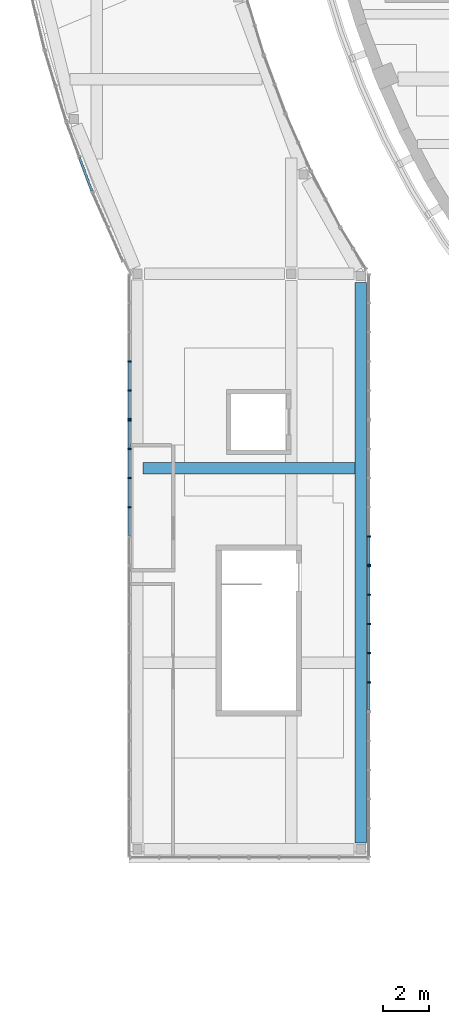
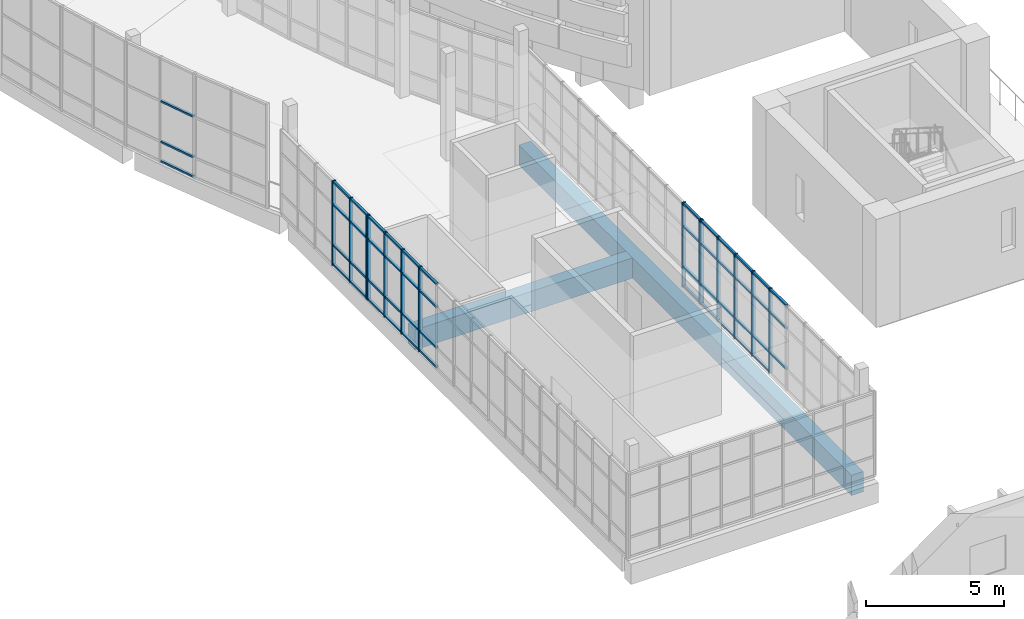
# One storey, part 6 of 103: 64 members, 2 beams, 5 elements without a shape of their own.
"""IFC4 building model written with IfcOpenShell, lengths in metres."""

from ifc_helpers import new_model, si_unit, direction, frame, origin, origin_2d, place, context, subcontext, project, spatial, rectangle, extrude, material, layer, layer_set, material_profile, profile_set, type_object, element, aggregate, save


model = new_model("IFC4")

# Units and contexts
model_context = context("Model", 3, precision=1e-05, world=origin(), true_north=direction((0.0, 1.0)))
body_context = subcontext(model_context, "Body", "Model", "MODEL_VIEW")
ifc_project = project(units=[si_unit("LENGTHUNIT", "METRE"), si_unit("AREAUNIT", "SQUARE_METRE"), si_unit("VOLUMEUNIT", "CUBIC_METRE"), si_unit("PLANEANGLEUNIT", "RADIAN"), si_unit("MASSUNIT", "GRAM", prefix="KILO")], contexts=[model_context])

# Site, building, storey
site_placement = place(None, origin())
site = spatial("IfcSite", under=ifc_project, at=site_placement, CompositionType="ELEMENT")
building_placement = place(site_placement, origin())
building = spatial("IfcBuilding", under=site, at=building_placement, Name="Larchfold Concert Hall", CompositionType="ELEMENT")
storey_placement = place(building_placement, frame((0.0, 0.0, 9.60009765625)))
storey = spatial("IfcBuildingStorey", under=building, at=storey_placement, Name="L02", CompositionType="ELEMENT", Elevation=9.60009765625)

# Curtain wall, members
ifc_material_1 = material(Name="Anodised graphite aluminium curtain wall", Category="aluminium")
ifc_layer = layer(ifc_material_1, 0.14990234375)
ifc_layer_set = layer_set([ifc_layer], Name="Anodised graphite aluminium curtain wall")
curtain_wall_type = type_object("IfcCurtainWallType", Name="Curtain wall WG", PredefinedType="NOTDEFINED", material=ifc_layer_set)
curtain_wall_1_placement = place(storey_placement, origin())
curtain_wall_1 = element("IfcCurtainWall", 1, at=curtain_wall_1_placement, inside=storey, type_object=curtain_wall_type, Name="Curtain wall CW0282", PredefinedType="NOTDEFINED")
ifc_material_2 = material(Name="Anodised graphite aluminium mullion", Category="aluminium")
ifc_material_profile_1 = material_profile(ifc_material_2, rectangle(XDim=0.14990234375, YDim=0.06005859375, at=origin_2d()))
ifc_profile_set_1 = profile_set([ifc_material_profile_1], Name="Anodised graphite aluminium mullion")
member_type_1 = type_object("IfcMemberType", Name="Aluminium mullion 60x150", PredefinedType="MULLION", material=ifc_profile_set_1)
member_1_placement = place(storey_placement, frame((10.408447265625, 55.619873046875, 0.0), z_axis=(0.0, 0.0, 1.0), x_axis=(1.0, 0.0, 0.0)))
member_1 = element("IfcMember", 2, at=member_1_placement, type_object=member_type_1, Name="CW0282 mullion 4", PredefinedType="MULLION", context=body_context, shape_type="SweptSolid", body=[
    extrude(rectangle(XDim=0.14990234375, YDim=0.06005859375, at=origin_2d()), origin(), (0.0, 0.0, 1.0), 3.75),
])
member_2_placement = place(storey_placement, frame((10.408447265625, 54.35986328125, 0.0), z_axis=(0.0, 0.0, 1.0), x_axis=(1.0, 0.0, 0.0)))
member_2 = element("IfcMember", 3, at=member_2_placement, type_object=member_type_1, Name="CW0282 mullion 5", PredefinedType="MULLION", context=body_context, shape_type="SweptSolid", body=[
    extrude(rectangle(XDim=0.14990234375, YDim=0.06005859375, at=origin_2d()), origin(), (0.0, 0.0, 1.0), 3.75),
])
member_3_placement = place(storey_placement, frame((10.408447265625, 53.1298828125, 0.0), z_axis=(0.0, 0.0, 1.0), x_axis=(1.0, 0.0, 0.0)))
member_3 = element("IfcMember", 4, at=member_3_placement, type_object=member_type_1, Name="CW0282 mullion 6", PredefinedType="MULLION", context=body_context, shape_type="SweptSolid", body=[
    extrude(rectangle(XDim=0.14990234375, YDim=0.06005859375, at=origin_2d()), origin(), (0.0, 0.0, 1.0), 3.75),
])

curtain_wall_2_placement = place(storey_placement, origin())
curtain_wall_2 = element("IfcCurtainWall", 5, at=curtain_wall_2_placement, inside=storey, type_object=curtain_wall_type, Name="Curtain wall CW0283", PredefinedType="NOTDEFINED")
member_4_placement = place(storey_placement, frame((10.408447265625, 53.06982421875, 0.0), z_axis=(0.0, 0.0, 1.0), x_axis=(1.0, 0.0, 0.0)))
member_4 = element("IfcMember", 6, at=member_4_placement, type_object=member_type_1, Name="CW0283 mullion 1", PredefinedType="MULLION", context=body_context, shape_type="SweptSolid", body=[
    extrude(rectangle(XDim=0.14990234375, YDim=0.06005859375, at=origin_2d()), origin(), (0.0, 0.0, 1.0), 3.75),
])
member_5_placement = place(storey_placement, frame((10.408447265625, 51.83984375, 0.0), z_axis=(0.0, 0.0, 1.0), x_axis=(1.0, 0.0, 0.0)))
member_5 = element("IfcMember", 7, at=member_5_placement, type_object=member_type_1, Name="CW0283 mullion 2", PredefinedType="MULLION", context=body_context, shape_type="SweptSolid", body=[
    extrude(rectangle(XDim=0.14990234375, YDim=0.06005859375, at=origin_2d()), origin(), (0.0, 0.0, 1.0), 3.75),
])
member_6_placement = place(storey_placement, frame((10.408447265625, 50.579833984375, 0.0), z_axis=(0.0, 0.0, 1.0), x_axis=(1.0, 0.0, 0.0)))
member_6 = element("IfcMember", 8, at=member_6_placement, type_object=member_type_1, Name="CW0283 mullion 3", PredefinedType="MULLION", context=body_context, shape_type="SweptSolid", body=[
    extrude(rectangle(XDim=0.14990234375, YDim=0.06005859375, at=origin_2d()), origin(), (0.0, 0.0, 1.0), 3.75),
])
member_7_placement = place(storey_placement, frame((10.408447265625, 49.31982421875, 0.0), z_axis=(0.0, 0.0, 1.0), x_axis=(1.0, 0.0, 0.0)))
member_7 = element("IfcMember", 9, at=member_7_placement, type_object=member_type_1, Name="CW0283 mullion 4", PredefinedType="MULLION", context=body_context, shape_type="SweptSolid", body=[
    extrude(rectangle(XDim=0.14990234375, YDim=0.06005859375, at=origin_2d()), origin(), (0.0, 0.0, 1.0), 3.75),
])

curtain_wall_3_placement = place(storey_placement, origin())
curtain_wall_3 = element("IfcCurtainWall", 10, at=curtain_wall_3_placement, inside=storey, type_object=curtain_wall_type, Name="Curtain wall CW0289", PredefinedType="NOTDEFINED")
member_8_placement = place(storey_placement, frame((20.748779296875, 41.760009765625, 0.0), z_axis=(0.0, 0.0, 1.0), x_axis=(-1.0, 0.0, 0.0)))
member_8 = element("IfcMember", 11, at=member_8_placement, type_object=member_type_1, Name="CW0289 mullion 2", PredefinedType="MULLION", context=body_context, shape_type="SweptSolid", body=[
    extrude(rectangle(XDim=0.14990234375, YDim=0.06005859375, at=origin_2d()), origin(), (0.0, 0.0, 1.0), 3.75),
])
member_9_placement = place(storey_placement, frame((20.748779296875, 43.02001953125, 0.0), z_axis=(0.0, 0.0, 1.0), x_axis=(-1.0, 0.0, 0.0)))
member_9 = element("IfcMember", 12, at=member_9_placement, type_object=member_type_1, Name="CW0289 mullion 3", PredefinedType="MULLION", context=body_context, shape_type="SweptSolid", body=[
    extrude(rectangle(XDim=0.14990234375, YDim=0.06005859375, at=origin_2d()), origin(), (0.0, 0.0, 1.0), 3.75),
])
member_10_placement = place(storey_placement, frame((20.748779296875, 44.27978515625, 0.0), z_axis=(0.0, 0.0, 1.0), x_axis=(-1.0, 0.0, 0.0)))
member_10 = element("IfcMember", 13, at=member_10_placement, type_object=member_type_1, Name="CW0289 mullion 4", PredefinedType="MULLION", context=body_context, shape_type="SweptSolid", body=[
    extrude(rectangle(XDim=0.14990234375, YDim=0.06005859375, at=origin_2d()), origin(), (0.0, 0.0, 1.0), 3.75),
])
member_11_placement = place(storey_placement, frame((20.748779296875, 45.539794921875, 0.0), z_axis=(0.0, 0.0, 1.0), x_axis=(-1.0, 0.0, 0.0)))
member_11 = element("IfcMember", 14, at=member_11_placement, type_object=member_type_1, Name="CW0289 mullion 5", PredefinedType="MULLION", context=body_context, shape_type="SweptSolid", body=[
    extrude(rectangle(XDim=0.14990234375, YDim=0.06005859375, at=origin_2d()), origin(), (0.0, 0.0, 1.0), 3.75),
])
member_12_placement = place(storey_placement, frame((20.748779296875, 46.769775390625, 0.0), z_axis=(0.0, 0.0, 1.0), x_axis=(-1.0, 0.0, 0.0)))
member_12 = element("IfcMember", 15, at=member_12_placement, type_object=member_type_1, Name="CW0289 mullion 6", PredefinedType="MULLION", context=body_context, shape_type="SweptSolid", body=[
    extrude(rectangle(XDim=0.14990234375, YDim=0.06005859375, at=origin_2d()), origin(), (0.0, 0.0, 1.0), 3.75),
])

curtain_wall_4_placement = place(storey_placement, origin())
curtain_wall_4 = element("IfcCurtainWall", 16, at=curtain_wall_4_placement, inside=storey, type_object=curtain_wall_type, Name="Curtain wall CW0290", PredefinedType="NOTDEFINED")
member_13_placement = place(storey_placement, frame((20.748779296875, 46.829833984375, 0.0), z_axis=(0.0, 0.0, 1.0), x_axis=(-1.0, 0.0, 0.0)))
member_13 = element("IfcMember", 17, at=member_13_placement, type_object=member_type_1, Name="CW0290 mullion 1", PredefinedType="MULLION", context=body_context, shape_type="SweptSolid", body=[
    extrude(rectangle(XDim=0.14990234375, YDim=0.06005859375, at=origin_2d()), origin(), (0.0, 0.0, 1.0), 3.75),
])
member_14_placement = place(storey_placement, frame((20.748779296875, 48.059814453125, 0.0), z_axis=(0.0, 0.0, 1.0), x_axis=(-1.0, 0.0, 0.0)))
member_14 = element("IfcMember", 18, at=member_14_placement, type_object=member_type_1, Name="CW0290 mullion 2", PredefinedType="MULLION", context=body_context, shape_type="SweptSolid", body=[
    extrude(rectangle(XDim=0.14990234375, YDim=0.06005859375, at=origin_2d()), origin(), (0.0, 0.0, 1.0), 3.75),
])

curtain_wall_5_placement = place(storey_placement, origin())
curtain_wall_5 = element("IfcCurtainWall", 19, at=curtain_wall_5_placement, inside=storey, type_object=curtain_wall_type, Name="Curtain wall CW0280", PredefinedType="NOTDEFINED")
ifc_material_3 = material(Name="Anodised graphite aluminium transom", Category="aluminium")
ifc_material_profile_2 = material_profile(ifc_material_3, rectangle(XDim=0.10009765625, YDim=0.080078125, at=origin_2d()))
ifc_profile_set_2 = profile_set([ifc_material_profile_2], Name="Anodised graphite aluminium transom")
member_type_2 = type_object("IfcMemberType", Name="Aluminium transom 80x100", PredefinedType="USERDEFINED", material=ifc_profile_set_2)
member_15_placement = place(storey_placement, frame((8.2587890625, 64.416748046875, 0.0400390625), z_axis=(0.34659834875, -0.938013637771, 0.0), x_axis=(0.938013637771, 0.34659834875, 0.0)))
member_15 = element("IfcMember", 20, at=member_15_placement, type_object=member_type_2, Name="CW0280 transom 2.1", ObjectType="TRANSOM", PredefinedType="USERDEFINED", context=body_context, shape_type="SweptSolid", body=[
    extrude(rectangle(XDim=0.10009765625, YDim=0.080078125, at=origin_2d()), origin(), (0.0, 0.0, 1.0), 1.53271484375),
])
member_16_placement = place(storey_placement, frame((8.2587890625, 64.416748046875, 0.89990234375), z_axis=(0.34659834875, -0.938013637771, 0.0), x_axis=(0.938013637771, 0.34659834875, 0.0)))
member_16 = element("IfcMember", 21, at=member_16_placement, type_object=member_type_2, Name="CW0280 transom 2.2", ObjectType="TRANSOM", PredefinedType="USERDEFINED", context=body_context, shape_type="SweptSolid", body=[
    extrude(rectangle(XDim=0.10009765625, YDim=0.080078125, at=origin_2d()), origin(), (0.0, 0.0, 1.0), 1.53271484375),
])
member_17_placement = place(storey_placement, frame((8.2587890625, 64.416748046875, 2.699951171875), z_axis=(0.34659834875, -0.938013637771, 0.0), x_axis=(0.938013637771, 0.34659834875, 0.0)))
member_17 = element("IfcMember", 22, at=member_17_placement, type_object=member_type_2, Name="CW0280 transom 2.3", ObjectType="TRANSOM", PredefinedType="USERDEFINED", context=body_context, shape_type="SweptSolid", body=[
    extrude(rectangle(XDim=0.10009765625, YDim=0.080078125, at=origin_2d()), origin(), (0.0, 0.0, 1.0), 1.53271484375),
])
aggregate(curtain_wall_5, [member_15, member_16, member_17])

# Member
member_18_placement = place(storey_placement, frame((10.408447265625, 55.58984375, 0.0400390625), z_axis=(0.0, -1.0, 0.0), x_axis=(1.0, 0.0, 0.0)))
member_18 = element("IfcMember", 23, at=member_18_placement, type_object=member_type_2, Name="CW0282 transom 4.1", ObjectType="TRANSOM", PredefinedType="USERDEFINED", context=body_context, shape_type="SweptSolid", body=[
    extrude(rectangle(XDim=0.10009765625, YDim=0.080078125, at=origin_2d()), origin(), (0.0, 0.0, 1.0), 1.199951171875),
])

member_19_placement = place(storey_placement, frame((10.408447265625, 55.58984375, 0.89990234375), z_axis=(0.0, -1.0, 0.0), x_axis=(1.0, 0.0, 0.0)))
member_19 = element("IfcMember", 24, at=member_19_placement, type_object=member_type_2, Name="CW0282 transom 4.2", ObjectType="TRANSOM", PredefinedType="USERDEFINED", context=body_context, shape_type="SweptSolid", body=[
    extrude(rectangle(XDim=0.10009765625, YDim=0.080078125, at=origin_2d()), origin(), (0.0, 0.0, 1.0), 1.199951171875),
])

member_20_placement = place(storey_placement, frame((10.408447265625, 55.58984375, 2.699951171875), z_axis=(0.0, -1.0, 0.0), x_axis=(1.0, 0.0, 0.0)))
member_20 = element("IfcMember", 25, at=member_20_placement, type_object=member_type_2, Name="CW0282 transom 4.3", ObjectType="TRANSOM", PredefinedType="USERDEFINED", context=body_context, shape_type="SweptSolid", body=[
    extrude(rectangle(XDim=0.10009765625, YDim=0.080078125, at=origin_2d()), origin(), (0.0, 0.0, 1.0), 1.199951171875),
])

member_21_placement = place(storey_placement, frame((10.408447265625, 55.58984375, 3.7099609375), z_axis=(0.0, -1.0, 0.0), x_axis=(1.0, 0.0, 0.0)))
member_21 = element("IfcMember", 26, at=member_21_placement, type_object=member_type_2, Name="CW0282 transom 4.4", ObjectType="TRANSOM", PredefinedType="USERDEFINED", context=body_context, shape_type="SweptSolid", body=[
    extrude(rectangle(XDim=0.10009765625, YDim=0.080078125, at=origin_2d()), origin(), (0.0, 0.0, 1.0), 1.199951171875),
])

member_22_placement = place(storey_placement, frame((10.408447265625, 54.329833984375, 0.0400390625), z_axis=(0.0, -1.0, 0.0), x_axis=(1.0, 0.0, 0.0)))
member_22 = element("IfcMember", 27, at=member_22_placement, type_object=member_type_2, Name="CW0282 transom 5.1", ObjectType="TRANSOM", PredefinedType="USERDEFINED", context=body_context, shape_type="SweptSolid", body=[
    extrude(rectangle(XDim=0.10009765625, YDim=0.080078125, at=origin_2d()), origin(), (0.0, 0.0, 1.0), 1.169921875),
])

member_23_placement = place(storey_placement, frame((10.408447265625, 54.329833984375, 0.89990234375), z_axis=(0.0, -1.0, 0.0), x_axis=(1.0, 0.0, 0.0)))
member_23 = element("IfcMember", 28, at=member_23_placement, type_object=member_type_2, Name="CW0282 transom 5.2", ObjectType="TRANSOM", PredefinedType="USERDEFINED", context=body_context, shape_type="SweptSolid", body=[
    extrude(rectangle(XDim=0.10009765625, YDim=0.080078125, at=origin_2d()), origin(), (0.0, 0.0, 1.0), 1.169921875),
])

member_24_placement = place(storey_placement, frame((10.408447265625, 54.329833984375, 2.699951171875), z_axis=(0.0, -1.0, 0.0), x_axis=(1.0, 0.0, 0.0)))
member_24 = element("IfcMember", 29, at=member_24_placement, type_object=member_type_2, Name="CW0282 transom 5.3", ObjectType="TRANSOM", PredefinedType="USERDEFINED", context=body_context, shape_type="SweptSolid", body=[
    extrude(rectangle(XDim=0.10009765625, YDim=0.080078125, at=origin_2d()), origin(), (0.0, 0.0, 1.0), 1.169921875),
])

member_25_placement = place(storey_placement, frame((10.408447265625, 54.329833984375, 3.7099609375), z_axis=(0.0, -1.0, 0.0), x_axis=(1.0, 0.0, 0.0)))
member_25 = element("IfcMember", 30, at=member_25_placement, type_object=member_type_2, Name="CW0282 transom 5.4", ObjectType="TRANSOM", PredefinedType="USERDEFINED", context=body_context, shape_type="SweptSolid", body=[
    extrude(rectangle(XDim=0.10009765625, YDim=0.080078125, at=origin_2d()), origin(), (0.0, 0.0, 1.0), 1.169921875),
])

aggregate(curtain_wall_1, [member_1, member_2, member_3, member_18, member_19, member_20, member_21, member_22, member_23, member_24, member_25])

member_26_placement = place(storey_placement, frame((10.408447265625, 53.039794921875, 0.0400390625), z_axis=(0.0, -1.0, 0.0), x_axis=(1.0, 0.0, 0.0)))
member_26 = element("IfcMember", 31, at=member_26_placement, type_object=member_type_2, Name="CW0283 transom 1.1", ObjectType="TRANSOM", PredefinedType="USERDEFINED", context=body_context, shape_type="SweptSolid", body=[
    extrude(rectangle(XDim=0.10009765625, YDim=0.080078125, at=origin_2d()), origin(), (0.0, 0.0, 1.0), 1.169921875),
])

member_27_placement = place(storey_placement, frame((10.408447265625, 53.039794921875, 0.89990234375), z_axis=(0.0, -1.0, 0.0), x_axis=(1.0, 0.0, 0.0)))
member_27 = element("IfcMember", 32, at=member_27_placement, type_object=member_type_2, Name="CW0283 transom 1.2", ObjectType="TRANSOM", PredefinedType="USERDEFINED", context=body_context, shape_type="SweptSolid", body=[
    extrude(rectangle(XDim=0.10009765625, YDim=0.080078125, at=origin_2d()), origin(), (0.0, 0.0, 1.0), 1.169921875),
])

member_28_placement = place(storey_placement, frame((10.408447265625, 53.039794921875, 2.699951171875), z_axis=(0.0, -1.0, 0.0), x_axis=(1.0, 0.0, 0.0)))
member_28 = element("IfcMember", 33, at=member_28_placement, type_object=member_type_2, Name="CW0283 transom 1.3", ObjectType="TRANSOM", PredefinedType="USERDEFINED", context=body_context, shape_type="SweptSolid", body=[
    extrude(rectangle(XDim=0.10009765625, YDim=0.080078125, at=origin_2d()), origin(), (0.0, 0.0, 1.0), 1.169921875),
])

member_29_placement = place(storey_placement, frame((10.408447265625, 53.039794921875, 3.7099609375), z_axis=(0.0, -1.0, 0.0), x_axis=(1.0, 0.0, 0.0)))
member_29 = element("IfcMember", 34, at=member_29_placement, type_object=member_type_2, Name="CW0283 transom 1.4", ObjectType="TRANSOM", PredefinedType="USERDEFINED", context=body_context, shape_type="SweptSolid", body=[
    extrude(rectangle(XDim=0.10009765625, YDim=0.080078125, at=origin_2d()), origin(), (0.0, 0.0, 1.0), 1.169921875),
])

member_30_placement = place(storey_placement, frame((10.408447265625, 51.809814453125, 0.0400390625), z_axis=(0.0, -1.0, 0.0), x_axis=(1.0, 0.0, 0.0)))
member_30 = element("IfcMember", 35, at=member_30_placement, type_object=member_type_2, Name="CW0283 transom 2.1", ObjectType="TRANSOM", PredefinedType="USERDEFINED", context=body_context, shape_type="SweptSolid", body=[
    extrude(rectangle(XDim=0.10009765625, YDim=0.080078125, at=origin_2d()), origin(), (0.0, 0.0, 1.0), 1.199951171875),
])

member_31_placement = place(storey_placement, frame((10.408447265625, 51.809814453125, 0.89990234375), z_axis=(0.0, -1.0, 0.0), x_axis=(1.0, 0.0, 0.0)))
member_31 = element("IfcMember", 36, at=member_31_placement, type_object=member_type_2, Name="CW0283 transom 2.2", ObjectType="TRANSOM", PredefinedType="USERDEFINED", context=body_context, shape_type="SweptSolid", body=[
    extrude(rectangle(XDim=0.10009765625, YDim=0.080078125, at=origin_2d()), origin(), (0.0, 0.0, 1.0), 1.199951171875),
])

member_32_placement = place(storey_placement, frame((10.408447265625, 51.809814453125, 2.699951171875), z_axis=(0.0, -1.0, 0.0), x_axis=(1.0, 0.0, 0.0)))
member_32 = element("IfcMember", 37, at=member_32_placement, type_object=member_type_2, Name="CW0283 transom 2.3", ObjectType="TRANSOM", PredefinedType="USERDEFINED", context=body_context, shape_type="SweptSolid", body=[
    extrude(rectangle(XDim=0.10009765625, YDim=0.080078125, at=origin_2d()), origin(), (0.0, 0.0, 1.0), 1.199951171875),
])

member_33_placement = place(storey_placement, frame((10.408447265625, 51.809814453125, 3.7099609375), z_axis=(0.0, -1.0, 0.0), x_axis=(1.0, 0.0, 0.0)))
member_33 = element("IfcMember", 38, at=member_33_placement, type_object=member_type_2, Name="CW0283 transom 2.4", ObjectType="TRANSOM", PredefinedType="USERDEFINED", context=body_context, shape_type="SweptSolid", body=[
    extrude(rectangle(XDim=0.10009765625, YDim=0.080078125, at=origin_2d()), origin(), (0.0, 0.0, 1.0), 1.199951171875),
])

member_34_placement = place(storey_placement, frame((10.408447265625, 50.5498046875, 0.0400390625), z_axis=(0.0, -1.0, 0.0), x_axis=(1.0, 0.0, 0.0)))
member_34 = element("IfcMember", 39, at=member_34_placement, type_object=member_type_2, Name="CW0283 transom 3.1", ObjectType="TRANSOM", PredefinedType="USERDEFINED", context=body_context, shape_type="SweptSolid", body=[
    extrude(rectangle(XDim=0.10009765625, YDim=0.080078125, at=origin_2d()), origin(), (0.0, 0.0, 1.0), 1.199951171875),
])

member_35_placement = place(storey_placement, frame((10.408447265625, 50.5498046875, 0.89990234375), z_axis=(0.0, -1.0, 0.0), x_axis=(1.0, 0.0, 0.0)))
member_35 = element("IfcMember", 40, at=member_35_placement, type_object=member_type_2, Name="CW0283 transom 3.2", ObjectType="TRANSOM", PredefinedType="USERDEFINED", context=body_context, shape_type="SweptSolid", body=[
    extrude(rectangle(XDim=0.10009765625, YDim=0.080078125, at=origin_2d()), origin(), (0.0, 0.0, 1.0), 1.199951171875),
])

member_36_placement = place(storey_placement, frame((10.408447265625, 50.5498046875, 2.699951171875), z_axis=(0.0, -1.0, 0.0), x_axis=(1.0, 0.0, 0.0)))
member_36 = element("IfcMember", 41, at=member_36_placement, type_object=member_type_2, Name="CW0283 transom 3.3", ObjectType="TRANSOM", PredefinedType="USERDEFINED", context=body_context, shape_type="SweptSolid", body=[
    extrude(rectangle(XDim=0.10009765625, YDim=0.080078125, at=origin_2d()), origin(), (0.0, 0.0, 1.0), 1.199951171875),
])

member_37_placement = place(storey_placement, frame((10.408447265625, 50.5498046875, 3.7099609375), z_axis=(0.0, -1.0, 0.0), x_axis=(1.0, 0.0, 0.0)))
member_37 = element("IfcMember", 42, at=member_37_placement, type_object=member_type_2, Name="CW0283 transom 3.4", ObjectType="TRANSOM", PredefinedType="USERDEFINED", context=body_context, shape_type="SweptSolid", body=[
    extrude(rectangle(XDim=0.10009765625, YDim=0.080078125, at=origin_2d()), origin(), (0.0, 0.0, 1.0), 1.199951171875),
])

member_38_placement = place(storey_placement, frame((10.408447265625, 49.289794921875, 0.0400390625), z_axis=(0.0, -1.0, 0.0), x_axis=(1.0, 0.0, 0.0)))
member_38 = element("IfcMember", 43, at=member_38_placement, type_object=member_type_2, Name="CW0283 transom 4.1", ObjectType="TRANSOM", PredefinedType="USERDEFINED", context=body_context, shape_type="SweptSolid", body=[
    extrude(rectangle(XDim=0.10009765625, YDim=0.080078125, at=origin_2d()), origin(), (0.0, 0.0, 1.0), 1.199951171875),
])

member_39_placement = place(storey_placement, frame((10.408447265625, 49.289794921875, 0.89990234375), z_axis=(0.0, -1.0, 0.0), x_axis=(1.0, 0.0, 0.0)))
member_39 = element("IfcMember", 44, at=member_39_placement, type_object=member_type_2, Name="CW0283 transom 4.2", ObjectType="TRANSOM", PredefinedType="USERDEFINED", context=body_context, shape_type="SweptSolid", body=[
    extrude(rectangle(XDim=0.10009765625, YDim=0.080078125, at=origin_2d()), origin(), (0.0, 0.0, 1.0), 1.199951171875),
])

member_40_placement = place(storey_placement, frame((10.408447265625, 49.289794921875, 2.699951171875), z_axis=(0.0, -1.0, 0.0), x_axis=(1.0, 0.0, 0.0)))
member_40 = element("IfcMember", 45, at=member_40_placement, type_object=member_type_2, Name="CW0283 transom 4.3", ObjectType="TRANSOM", PredefinedType="USERDEFINED", context=body_context, shape_type="SweptSolid", body=[
    extrude(rectangle(XDim=0.10009765625, YDim=0.080078125, at=origin_2d()), origin(), (0.0, 0.0, 1.0), 1.199951171875),
])

member_41_placement = place(storey_placement, frame((10.408447265625, 49.289794921875, 3.7099609375), z_axis=(0.0, -1.0, 0.0), x_axis=(1.0, 0.0, 0.0)))
member_41 = element("IfcMember", 46, at=member_41_placement, type_object=member_type_2, Name="CW0283 transom 4.4", ObjectType="TRANSOM", PredefinedType="USERDEFINED", context=body_context, shape_type="SweptSolid", body=[
    extrude(rectangle(XDim=0.10009765625, YDim=0.080078125, at=origin_2d()), origin(), (0.0, 0.0, 1.0), 1.199951171875),
])

aggregate(curtain_wall_2, [member_4, member_5, member_6, member_7, member_26, member_27, member_28, member_29, member_30, member_31, member_32, member_33, member_34, member_35, member_36, member_37, member_38, member_39, member_40, member_41])

member_42_placement = place(storey_placement, frame((20.748779296875, 40.56005859375, 0.89990234375), z_axis=(0.0, 1.0, 0.0), x_axis=(-1.0, 0.0, 0.0)))
member_42 = element("IfcMember", 47, at=member_42_placement, type_object=member_type_2, Name="CW0289 transom 1.2", ObjectType="TRANSOM", PredefinedType="USERDEFINED", context=body_context, shape_type="SweptSolid", body=[
    extrude(rectangle(XDim=0.10009765625, YDim=0.080078125, at=origin_2d()), origin(), (0.0, 0.0, 1.0), 1.169921875),
])

member_43_placement = place(storey_placement, frame((20.748779296875, 40.56005859375, 2.699951171875), z_axis=(0.0, 1.0, 0.0), x_axis=(-1.0, 0.0, 0.0)))
member_43 = element("IfcMember", 48, at=member_43_placement, type_object=member_type_2, Name="CW0289 transom 1.3", ObjectType="TRANSOM", PredefinedType="USERDEFINED", context=body_context, shape_type="SweptSolid", body=[
    extrude(rectangle(XDim=0.10009765625, YDim=0.080078125, at=origin_2d()), origin(), (0.0, 0.0, 1.0), 1.169921875),
])

member_44_placement = place(storey_placement, frame((20.748779296875, 40.56005859375, 3.7099609375), z_axis=(0.0, 1.0, 0.0), x_axis=(-1.0, 0.0, 0.0)))
member_44 = element("IfcMember", 49, at=member_44_placement, type_object=member_type_2, Name="CW0289 transom 1.4", ObjectType="TRANSOM", PredefinedType="USERDEFINED", context=body_context, shape_type="SweptSolid", body=[
    extrude(rectangle(XDim=0.10009765625, YDim=0.080078125, at=origin_2d()), origin(), (0.0, 0.0, 1.0), 1.169921875),
])

member_45_placement = place(storey_placement, frame((20.748779296875, 41.7900390625, 0.0400390625), z_axis=(0.0, 1.0, 0.0), x_axis=(-1.0, 0.0, 0.0)))
member_45 = element("IfcMember", 50, at=member_45_placement, type_object=member_type_2, Name="CW0289 transom 2.1", ObjectType="TRANSOM", PredefinedType="USERDEFINED", context=body_context, shape_type="SweptSolid", body=[
    extrude(rectangle(XDim=0.10009765625, YDim=0.080078125, at=origin_2d()), origin(), (0.0, 0.0, 1.0), 1.199951171875),
])

member_46_placement = place(storey_placement, frame((20.748779296875, 41.7900390625, 0.89990234375), z_axis=(0.0, 1.0, 0.0), x_axis=(-1.0, 0.0, 0.0)))
member_46 = element("IfcMember", 51, at=member_46_placement, type_object=member_type_2, Name="CW0289 transom 2.2", ObjectType="TRANSOM", PredefinedType="USERDEFINED", context=body_context, shape_type="SweptSolid", body=[
    extrude(rectangle(XDim=0.10009765625, YDim=0.080078125, at=origin_2d()), origin(), (0.0, 0.0, 1.0), 1.199951171875),
])

member_47_placement = place(storey_placement, frame((20.748779296875, 41.7900390625, 2.699951171875), z_axis=(0.0, 1.0, 0.0), x_axis=(-1.0, 0.0, 0.0)))
member_47 = element("IfcMember", 52, at=member_47_placement, type_object=member_type_2, Name="CW0289 transom 2.3", ObjectType="TRANSOM", PredefinedType="USERDEFINED", context=body_context, shape_type="SweptSolid", body=[
    extrude(rectangle(XDim=0.10009765625, YDim=0.080078125, at=origin_2d()), origin(), (0.0, 0.0, 1.0), 1.199951171875),
])

member_48_placement = place(storey_placement, frame((20.748779296875, 41.7900390625, 3.7099609375), z_axis=(0.0, 1.0, 0.0), x_axis=(-1.0, 0.0, 0.0)))
member_48 = element("IfcMember", 53, at=member_48_placement, type_object=member_type_2, Name="CW0289 transom 2.4", ObjectType="TRANSOM", PredefinedType="USERDEFINED", context=body_context, shape_type="SweptSolid", body=[
    extrude(rectangle(XDim=0.10009765625, YDim=0.080078125, at=origin_2d()), origin(), (0.0, 0.0, 1.0), 1.199951171875),
])

member_49_placement = place(storey_placement, frame((20.748779296875, 43.0498046875, 0.0400390625), z_axis=(0.0, 1.0, 0.0), x_axis=(-1.0, 0.0, 0.0)))
member_49 = element("IfcMember", 54, at=member_49_placement, type_object=member_type_2, Name="CW0289 transom 3.1", ObjectType="TRANSOM", PredefinedType="USERDEFINED", context=body_context, shape_type="SweptSolid", body=[
    extrude(rectangle(XDim=0.10009765625, YDim=0.080078125, at=origin_2d()), origin(), (0.0, 0.0, 1.0), 1.2001953125),
])

member_50_placement = place(storey_placement, frame((20.748779296875, 43.0498046875, 0.89990234375), z_axis=(0.0, 1.0, 0.0), x_axis=(-1.0, 0.0, 0.0)))
member_50 = element("IfcMember", 55, at=member_50_placement, type_object=member_type_2, Name="CW0289 transom 3.2", ObjectType="TRANSOM", PredefinedType="USERDEFINED", context=body_context, shape_type="SweptSolid", body=[
    extrude(rectangle(XDim=0.10009765625, YDim=0.080078125, at=origin_2d()), origin(), (0.0, 0.0, 1.0), 1.2001953125),
])

member_51_placement = place(storey_placement, frame((20.748779296875, 43.0498046875, 2.699951171875), z_axis=(0.0, 1.0, 0.0), x_axis=(-1.0, 0.0, 0.0)))
member_51 = element("IfcMember", 56, at=member_51_placement, type_object=member_type_2, Name="CW0289 transom 3.3", ObjectType="TRANSOM", PredefinedType="USERDEFINED", context=body_context, shape_type="SweptSolid", body=[
    extrude(rectangle(XDim=0.10009765625, YDim=0.080078125, at=origin_2d()), origin(), (0.0, 0.0, 1.0), 1.2001953125),
])

member_52_placement = place(storey_placement, frame((20.748779296875, 43.0498046875, 3.7099609375), z_axis=(0.0, 1.0, 0.0), x_axis=(-1.0, 0.0, 0.0)))
member_52 = element("IfcMember", 57, at=member_52_placement, type_object=member_type_2, Name="CW0289 transom 3.4", ObjectType="TRANSOM", PredefinedType="USERDEFINED", context=body_context, shape_type="SweptSolid", body=[
    extrude(rectangle(XDim=0.10009765625, YDim=0.080078125, at=origin_2d()), origin(), (0.0, 0.0, 1.0), 1.2001953125),
])

member_53_placement = place(storey_placement, frame((20.748779296875, 44.309814453125, 0.0400390625), z_axis=(0.0, 1.0, 0.0), x_axis=(-1.0, 0.0, 0.0)))
member_53 = element("IfcMember", 58, at=member_53_placement, type_object=member_type_2, Name="CW0289 transom 4.1", ObjectType="TRANSOM", PredefinedType="USERDEFINED", context=body_context, shape_type="SweptSolid", body=[
    extrude(rectangle(XDim=0.10009765625, YDim=0.080078125, at=origin_2d()), origin(), (0.0, 0.0, 1.0), 1.199951171875),
])

member_54_placement = place(storey_placement, frame((20.748779296875, 44.309814453125, 0.89990234375), z_axis=(0.0, 1.0, 0.0), x_axis=(-1.0, 0.0, 0.0)))
member_54 = element("IfcMember", 59, at=member_54_placement, type_object=member_type_2, Name="CW0289 transom 4.2", ObjectType="TRANSOM", PredefinedType="USERDEFINED", context=body_context, shape_type="SweptSolid", body=[
    extrude(rectangle(XDim=0.10009765625, YDim=0.080078125, at=origin_2d()), origin(), (0.0, 0.0, 1.0), 1.199951171875),
])

member_55_placement = place(storey_placement, frame((20.748779296875, 44.309814453125, 2.699951171875), z_axis=(0.0, 1.0, 0.0), x_axis=(-1.0, 0.0, 0.0)))
member_55 = element("IfcMember", 60, at=member_55_placement, type_object=member_type_2, Name="CW0289 transom 4.3", ObjectType="TRANSOM", PredefinedType="USERDEFINED", context=body_context, shape_type="SweptSolid", body=[
    extrude(rectangle(XDim=0.10009765625, YDim=0.080078125, at=origin_2d()), origin(), (0.0, 0.0, 1.0), 1.199951171875),
])

member_56_placement = place(storey_placement, frame((20.748779296875, 44.309814453125, 3.7099609375), z_axis=(0.0, 1.0, 0.0), x_axis=(-1.0, 0.0, 0.0)))
member_56 = element("IfcMember", 61, at=member_56_placement, type_object=member_type_2, Name="CW0289 transom 4.4", ObjectType="TRANSOM", PredefinedType="USERDEFINED", context=body_context, shape_type="SweptSolid", body=[
    extrude(rectangle(XDim=0.10009765625, YDim=0.080078125, at=origin_2d()), origin(), (0.0, 0.0, 1.0), 1.199951171875),
])

member_57_placement = place(storey_placement, frame((20.748779296875, 45.56982421875, 0.0400390625), z_axis=(0.0, 1.0, 0.0), x_axis=(-1.0, 0.0, 0.0)))
member_57 = element("IfcMember", 62, at=member_57_placement, type_object=member_type_2, Name="CW0289 transom 5.1", ObjectType="TRANSOM", PredefinedType="USERDEFINED", context=body_context, shape_type="SweptSolid", body=[
    extrude(rectangle(XDim=0.10009765625, YDim=0.080078125, at=origin_2d()), origin(), (0.0, 0.0, 1.0), 1.169921875),
])

member_58_placement = place(storey_placement, frame((20.748779296875, 45.56982421875, 0.89990234375), z_axis=(0.0, 1.0, 0.0), x_axis=(-1.0, 0.0, 0.0)))
member_58 = element("IfcMember", 63, at=member_58_placement, type_object=member_type_2, Name="CW0289 transom 5.2", ObjectType="TRANSOM", PredefinedType="USERDEFINED", context=body_context, shape_type="SweptSolid", body=[
    extrude(rectangle(XDim=0.10009765625, YDim=0.080078125, at=origin_2d()), origin(), (0.0, 0.0, 1.0), 1.169921875),
])

member_59_placement = place(storey_placement, frame((20.748779296875, 45.56982421875, 2.699951171875), z_axis=(0.0, 1.0, 0.0), x_axis=(-1.0, 0.0, 0.0)))
member_59 = element("IfcMember", 64, at=member_59_placement, type_object=member_type_2, Name="CW0289 transom 5.3", ObjectType="TRANSOM", PredefinedType="USERDEFINED", context=body_context, shape_type="SweptSolid", body=[
    extrude(rectangle(XDim=0.10009765625, YDim=0.080078125, at=origin_2d()), origin(), (0.0, 0.0, 1.0), 1.169921875),
])

member_60_placement = place(storey_placement, frame((20.748779296875, 45.56982421875, 3.7099609375), z_axis=(0.0, 1.0, 0.0), x_axis=(-1.0, 0.0, 0.0)))
member_60 = element("IfcMember", 65, at=member_60_placement, type_object=member_type_2, Name="CW0289 transom 5.4", ObjectType="TRANSOM", PredefinedType="USERDEFINED", context=body_context, shape_type="SweptSolid", body=[
    extrude(rectangle(XDim=0.10009765625, YDim=0.080078125, at=origin_2d()), origin(), (0.0, 0.0, 1.0), 1.169921875),
])

aggregate(curtain_wall_3, [member_8, member_9, member_10, member_11, member_12, member_42, member_43, member_44, member_45, member_46, member_47, member_48, member_49, member_50, member_51, member_52, member_53, member_54, member_55, member_56, member_57, member_58, member_59, member_60])

member_61_placement = place(storey_placement, frame((20.748779296875, 46.85986328125, 0.0400390625), z_axis=(0.0, 1.0, 0.0), x_axis=(-1.0, 0.0, 0.0)))
member_61 = element("IfcMember", 66, at=member_61_placement, type_object=member_type_2, Name="CW0290 transom 1.1", ObjectType="TRANSOM", PredefinedType="USERDEFINED", context=body_context, shape_type="SweptSolid", body=[
    extrude(rectangle(XDim=0.10009765625, YDim=0.080078125, at=origin_2d()), origin(), (0.0, 0.0, 1.0), 1.169921875),
])

member_62_placement = place(storey_placement, frame((20.748779296875, 46.85986328125, 0.89990234375), z_axis=(0.0, 1.0, 0.0), x_axis=(-1.0, 0.0, 0.0)))
member_62 = element("IfcMember", 67, at=member_62_placement, type_object=member_type_2, Name="CW0290 transom 1.2", ObjectType="TRANSOM", PredefinedType="USERDEFINED", context=body_context, shape_type="SweptSolid", body=[
    extrude(rectangle(XDim=0.10009765625, YDim=0.080078125, at=origin_2d()), origin(), (0.0, 0.0, 1.0), 1.169921875),
])

member_63_placement = place(storey_placement, frame((20.748779296875, 46.85986328125, 2.699951171875), z_axis=(0.0, 1.0, 0.0), x_axis=(-1.0, 0.0, 0.0)))
member_63 = element("IfcMember", 68, at=member_63_placement, type_object=member_type_2, Name="CW0290 transom 1.3", ObjectType="TRANSOM", PredefinedType="USERDEFINED", context=body_context, shape_type="SweptSolid", body=[
    extrude(rectangle(XDim=0.10009765625, YDim=0.080078125, at=origin_2d()), origin(), (0.0, 0.0, 1.0), 1.169921875),
])

member_64_placement = place(storey_placement, frame((20.748779296875, 46.85986328125, 3.7099609375), z_axis=(0.0, 1.0, 0.0), x_axis=(-1.0, 0.0, 0.0)))
member_64 = element("IfcMember", 69, at=member_64_placement, type_object=member_type_2, Name="CW0290 transom 1.4", ObjectType="TRANSOM", PredefinedType="USERDEFINED", context=body_context, shape_type="SweptSolid", body=[
    extrude(rectangle(XDim=0.10009765625, YDim=0.080078125, at=origin_2d()), origin(), (0.0, 0.0, 1.0), 1.169921875),
])

aggregate(curtain_wall_4, [member_13, member_14, member_61, member_62, member_63, member_64])

# Beams
ifc_material_4 = material(Name="Concrete C35/45", Category="concrete")
ifc_material_profile_3 = material_profile(ifc_material_4, rectangle(XDim=0.5, YDim=0.89990234375, at=origin_2d()))
ifc_profile_set_3 = profile_set([ifc_material_profile_3], Name="Concrete C35/45")
beam_type = type_object("IfcBeamType", Name="Beam RC 500x900", PredefinedType="BEAM", material=ifc_profile_set_3)
beam_1_placement = place(storey_placement, frame((20.39892578125, 59.02099609375, -0.60009765625), z_axis=(0.0, -1.0, 0.0), x_axis=(1.0, 0.0, 0.0)))
element("IfcBeam", 70, at=beam_1_placement, inside=storey, type_object=beam_type, Name="Beam B1936", PredefinedType="BEAM", context=body_context, shape_type="SweptSolid", body=[
    extrude(rectangle(XDim=0.5, YDim=0.89990234375, at=origin_2d()), origin(), (0.0, 0.0, 1.0), 24.19091796875),
])
beam_2_placement = place(storey_placement, frame((11.008056640625, 51.0, -0.60009765625), z_axis=(1.0, 0.0, 0.0), x_axis=(0.0, 1.0, 0.0)))
element("IfcBeam", 71, at=beam_2_placement, inside=storey, type_object=beam_type, Name="Beam B1985", PredefinedType="BEAM", context=body_context, shape_type="SweptSolid", body=[
    extrude(rectangle(XDim=0.5, YDim=0.89990234375, at=origin_2d()), origin(), (0.0, 0.0, 1.0), 9.140869140625),
])

save(model, "model.ifc")
